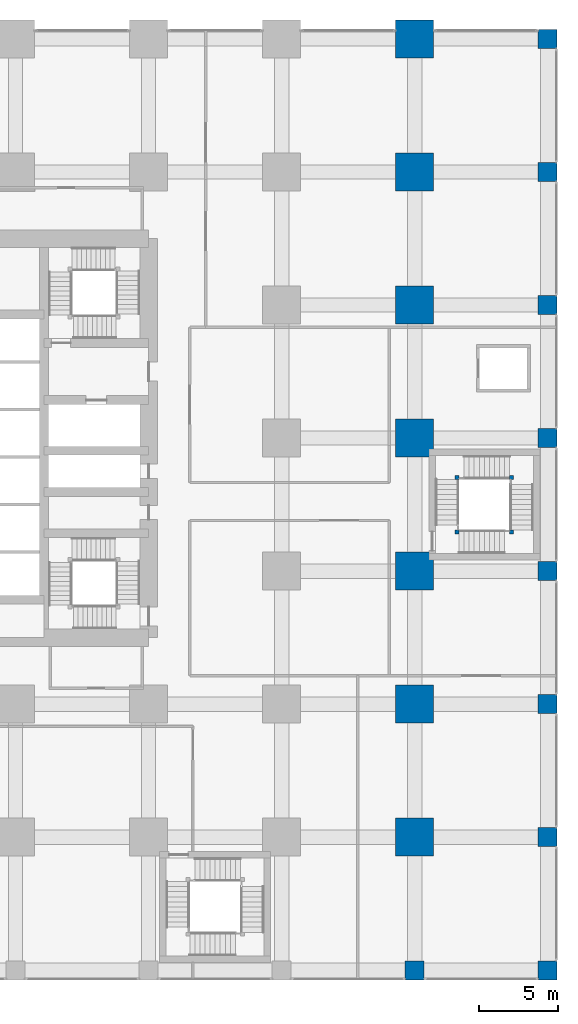
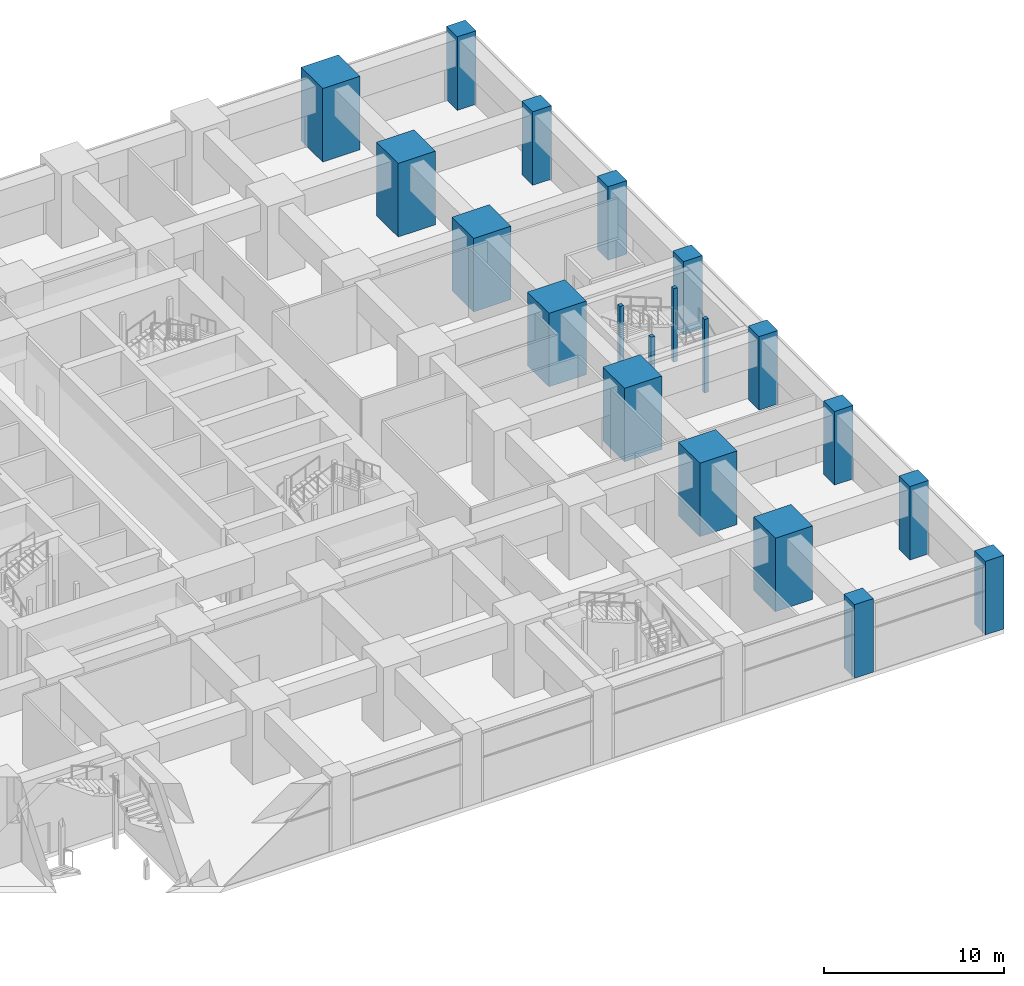
# One storey, part 2 of 49: 20 columns.
"""IFC4 building model written with IfcOpenShell, lengths in metres."""

import ifcopenshell
import ifcopenshell.guid

model = None  # the IFC model being written
_history = None  # IfcOwnerHistory: only IFC2X3 demands one
_inside = {}  # id of a spatial element -> (the spatial element, [elements in it])
_under = {}  # id of a project, library or spatial element -> (it, [spatial elements below it])
_declared = {}  # id of a project -> (the project, [libraries it declares])
_typed = {}  # id of a type object -> (the type object, [elements of that type])
_made_of = {}  # id of a material, layer set ... -> (it, [elements and type objects made of it])


def new_model(schema):
    """Start an empty IFC model of exactly this schema.

    Asked for "IFC4X3", IfcOpenShell would pick the latest addendum, in which some entities
    have other attributes; the version numbers below select the first issue.
    IFC2X3 requires an IfcOwnerHistory on every rooted entity: one is made here for all.
    """
    global model, _history
    if schema == "IFC4X3":
        model = ifcopenshell.file(schema_version=(4, 3, 0, 0))
    else:
        model = ifcopenshell.file(schema=schema)
    _inside.clear()
    _under.clear()
    _declared.clear()
    _typed.clear()
    _made_of.clear()
    _history = None
    if model.schema == "IFC2X3":
        org = make("IfcOrganization", Name="unknown")
        user = make(
            "IfcPersonAndOrganization",
            ThePerson=make("IfcPerson", FamilyName="unknown"),
            TheOrganization=org,
        )
        app = make(
            "IfcApplication",
            ApplicationDeveloper=org,
            Version="unknown",
            ApplicationFullName="unknown",
            ApplicationIdentifier="unknown",
        )
        _history = make(
            "IfcOwnerHistory",
            OwningUser=user,
            OwningApplication=app,
            ChangeAction="ADDED",
            CreationDate=0,
        )
    return model


def make(cls, **values):
    """One entity of the class cls with the attributes given. An attribute that is None is left unset."""
    return model.create_entity(
        cls, **{name: value for name, value in values.items() if value is not None}
    )


def rooted(cls, **values):
    """An entity with a GlobalId (a new one), such as an element, a storey or a relation."""
    return make(cls, GlobalId=ifcopenshell.guid.new(), OwnerHistory=_history, **values)


def si_unit(unit_type, name, prefix=None):
    """IfcSIUnit, for example si_unit("LENGTHUNIT", "METRE", prefix="MILLI")."""
    return make("IfcSIUnit", UnitType=unit_type, Prefix=prefix, Name=name)


def assignment(units):
    """IfcUnitAssignment: the units of a project."""
    return None if units is None else make("IfcUnitAssignment", Units=units)


def point(xyz):
    """IfcCartesianPoint."""
    return None if xyz is None else make("IfcCartesianPoint", Coordinates=xyz)


def direction(xyz):
    """IfcDirection."""
    return None if xyz is None else make("IfcDirection", DirectionRatios=xyz)


def frame(location, z_axis=None, x_axis=None):
    """IfcAxis2Placement3D, a coordinate frame: its origin and axes. An axis left out is left unset."""
    return make(
        "IfcAxis2Placement3D",
        Location=point(location),
        Axis=direction(z_axis),
        RefDirection=direction(x_axis),
    )


def frame_2d(location, x_axis=None):
    """IfcAxis2Placement2D, a coordinate frame in the plane: its origin and x axis."""
    return make(
        "IfcAxis2Placement2D", Location=point(location), RefDirection=direction(x_axis)
    )


def origin():
    """The frame at (0, 0, 0) with its axes left unset."""
    return frame((0.0, 0.0, 0.0))


def origin_2d():
    """The frame at (0, 0) in the plane with its x axis left unset."""
    return frame_2d((0.0, 0.0))


def place(relative_to, where):
    """IfcLocalPlacement: puts the frame where relative to a parent placement (None: the world)."""
    return make(
        "IfcLocalPlacement", PlacementRelTo=relative_to, RelativePlacement=where
    )


def context(
    kind, dimensions, precision=None, world=None, true_north=None, identifier=None
):
    """IfcGeometricRepresentationContext, for example the 3D "Model" context."""
    return make(
        "IfcGeometricRepresentationContext",
        ContextIdentifier=identifier,
        ContextType=kind,
        CoordinateSpaceDimension=dimensions,
        Precision=precision,
        WorldCoordinateSystem=world,
        TrueNorth=true_north,
    )


def subcontext(parent, identifier, kind, view, scale=None):
    """IfcGeometricRepresentationSubContext, for example "Body" below "Model"."""
    return make(
        "IfcGeometricRepresentationSubContext",
        ContextIdentifier=identifier,
        ContextType=kind,
        ParentContext=parent,
        TargetScale=scale,
        TargetView=view,
    )


def project(units=None, contexts=None):
    """IfcProject with its units and contexts."""
    return rooted(
        "IfcProject",
        Name="project",
        RepresentationContexts=contexts,
        UnitsInContext=assignment(units),
    )


def spatial(cls, under=None, at=None, **own):
    """A site, building, storey or space (cls), placed at a placement, below another one or the project."""
    s = rooted(cls, ObjectPlacement=at, **own)
    if under is not None:
        _under.setdefault(under.id(), (under, []))[1].append(s)
    return s


def profile(cls, at=None, kind="AREA", **sizes):
    """A parametric profile (cls). Its sizes go by their IFC names, for example OverallWidth=200.0."""
    return make(cls, ProfileType=kind, Position=at, **sizes)


def rectangle(**sizes):
    """IfcRectangleProfileDef."""
    return profile("IfcRectangleProfileDef", **sizes)


def extrude(swept, where, along, depth):
    """IfcExtrudedAreaSolid: the profile swept, set in the frame where, extruded along a direction by depth."""
    return make(
        "IfcExtrudedAreaSolid",
        SweptArea=swept,
        Position=where,
        ExtrudedDirection=direction(along),
        Depth=depth,
    )


def shape(context_of_items, identifier, shape_type, items):
    """IfcShapeRepresentation: the items that make up one representation, for example the "Body"."""
    return make(
        "IfcShapeRepresentation",
        ContextOfItems=context_of_items,
        RepresentationIdentifier=identifier,
        RepresentationType=shape_type,
        Items=items,
    )


def material(Name=None, Category=None):
    """IfcMaterial."""
    return make("IfcMaterial", Name=Name, Category=Category)


def material_profile(
    of_material, cross_section, Name=None, Category=None, Priority=None
):
    """IfcMaterialProfile: a cross section and its material."""
    return make(
        "IfcMaterialProfile",
        Name=Name,
        Material=of_material,
        Profile=cross_section,
        Priority=Priority,
        Category=Category,
    )


def profile_set(profiles, Name=None, composite=None):
    """IfcMaterialProfileSet."""
    return make(
        "IfcMaterialProfileSet",
        Name=Name,
        MaterialProfiles=profiles,
        CompositeProfile=composite,
    )


def made_of(thing, what):
    """Note that an element or type object is made of a material, layer set ...; save() writes the relation."""
    if what is not None:
        _made_of.setdefault(what.id(), (what, []))[1].append(thing)
    return thing


def type_object(cls, material=None, **own):
    """A type object (cls), such as IfcWallType, which elements share."""
    return made_of(rooted(cls, **own), material)


def element(
    cls,
    number,
    at=None,
    inside=None,
    cuts=None,
    type_object=None,
    material=None,
    context=None,
    identifier="Body",
    shape_type=None,
    held_by="IfcProductDefinitionShape",
    body=None,
    shapes=None,
    **own,
):
    """One element of the class cls, such as IfcWall. Its Tag is "e" and its number.

    at: its placement. inside: the storey or other place that contains it. cuts: it is an
    opening in that element (IfcRelVoidsElement). A single representation is given by context,
    identifier, shape_type and body (its items); several are given by shapes. held_by: the class
    of the entity that holds the representations. save() writes the other relations.
    """
    e = rooted(cls, Tag="e%d" % number, ObjectPlacement=at, **own)
    if body is not None:
        shapes = [shape(context, identifier, shape_type, body)]
    if shapes is not None:
        e.Representation = make(held_by, Representations=shapes)
    if inside is not None:
        _inside.setdefault(inside.id(), (inside, []))[1].append(e)
    if cuts is not None:
        rooted(
            "IfcRelVoidsElement", RelatingBuildingElement=cuts, RelatedOpeningElement=e
        )
    if type_object is not None:
        _typed.setdefault(type_object.id(), (type_object, []))[1].append(e)
    return made_of(e, material)


def aggregate(whole, parts):
    """IfcRelAggregates: a whole, such as a stair, and the parts it consists of."""
    return rooted("IfcRelAggregates", RelatingObject=whole, RelatedObjects=parts)


def save(model, path):
    """Write the relations noted so far, then the file.

    IfcRelAggregates (storeys below a building ...), IfcRelContainedInSpatialStructure (elements
    in a storey), IfcRelDefinesByType, IfcRelAssociatesMaterial and IfcRelDeclares: one each for
    every whole, place, type object, material and project.
    """
    for whole, parts in _under.values():
        aggregate(whole, parts)
    for where, things in _inside.values():
        rooted(
            "IfcRelContainedInSpatialStructure",
            RelatedElements=things,
            RelatingStructure=where,
        )
    for kind, things in _typed.values():
        rooted("IfcRelDefinesByType", RelatedObjects=things, RelatingType=kind)
    for what, things in _made_of.values():
        rooted("IfcRelAssociatesMaterial", RelatedObjects=things, RelatingMaterial=what)
    for by, libraries in _declared.values():
        rooted("IfcRelDeclares", RelatingContext=by, RelatedDefinitions=libraries)
    model.write(path)


model = new_model("IFC4")

# Units and contexts
model_context = context("Model", 3, precision=1e-05, world=origin(), true_north=direction((0.0, 1.0)))
body_context = subcontext(model_context, "Body", "Model", "MODEL_VIEW")
ifc_project = project(units=[si_unit("LENGTHUNIT", "METRE"), si_unit("AREAUNIT", "SQUARE_METRE"), si_unit("VOLUMEUNIT", "CUBIC_METRE"), si_unit("PLANEANGLEUNIT", "RADIAN"), si_unit("MASSUNIT", "GRAM", prefix="KILO")], contexts=[model_context])

# Site, building, storey
site_placement = place(None, origin())
site = spatial("IfcSite", under=ifc_project, at=site_placement, CompositionType="ELEMENT")
building_placement = place(site_placement, origin())
building = spatial("IfcBuilding", under=site, at=building_placement, Name="Rekha Terrace Tower", CompositionType="ELEMENT")
storey_placement = place(building_placement, frame((0.0, 0.0, 5.39990234375)))
storey = spatial("IfcBuildingStorey", under=building, at=storey_placement, Name="L01", CompositionType="ELEMENT", Elevation=5.39990234375)

# Columns
ifc_material_1 = material(Name="Concrete M70", Category="concrete")
ifc_material_profile_1 = material_profile(ifc_material_1, rectangle(XDim=2.39990234375, YDim=2.39990234375, at=origin_2d()), Name="RC 2400x2400")
ifc_profile_set_1 = profile_set([ifc_material_profile_1], Name="Concrete M70")
column_type_1 = type_object("IfcColumnType", Name="C1 2400x2400 column", PredefinedType="COLUMN", material=ifc_profile_set_1)
for number, where, z_axis, x_axis, name in (
    (1, (67.199951171875, 8.39990234375, 0.0), (0.0, 0.0, 1.0), (1.0, 0.0, 0.0), "Column C1 9/B L01"),
    (2, (67.199951171875, 16.800048828125, 0.0), (0.0, 0.0, 1.0), (1.0, 0.0, 0.0), "Column C1 9/C L01"),
    (3, (67.199951171875, 25.199951171875, 0.0), (0.0, 0.0, 1.0), (1.0, 0.0, 0.0), "Column C1 9/D L01"),
    (4, (67.199951171875, 33.60009765625, 0.0), (0.0, 0.0, 1.0), (1.0, 0.0, 0.0), "Column C1 9/E L01"),
    (5, (67.199951171875, 42.0, 0.0), (0.0, 0.0, 1.0), (1.0, 0.0, 0.0), "Column C1 9/F L01"),
    (6, (67.199951171875, 50.39990234375, 0.0), (0.0, 0.0, 1.0), (1.0, 0.0, 0.0), "Column C1 9/G L01"),
    (7, (67.199951171875, 58.800048828125, 0.0), (0.0, 0.0, 1.0), (1.0, 0.0, 0.0), "Column C1 9/H L01"),
):
    element("IfcColumn", number, at=place(storey_placement, frame(where, z_axis=z_axis, x_axis=x_axis)), inside=storey, type_object=column_type_1, Name=name, PredefinedType="COLUMN", context=body_context, shape_type="SweptSolid", body=[
        extrude(rectangle(XDim=2.39990234375, YDim=2.39990234375, at=origin_2d()), origin(), (0.0, 0.0, 1.0), 5.0),
    ])
ifc_material_2 = material(Name="Concrete M60", Category="concrete")
ifc_material_profile_2 = material_profile(ifc_material_2, rectangle(XDim=1.199951171875, YDim=1.199951171875, at=origin_2d()), Name="RC 1200x1200")
ifc_profile_set_2 = profile_set([ifc_material_profile_2], Name="Concrete M60")
column_type_2 = type_object("IfcColumnType", Name="C6 1200x1200 podium column", PredefinedType="COLUMN", material=ifc_profile_set_2)
for number, where, z_axis, x_axis, name in (
    (8, (67.199951171875, 0.0, 0.0), (0.0, 0.0, 1.0), (1.0, 0.0, 0.0), "Column C6 9/A L01"),
    (9, (75.60009765625, 0.0, 0.0), (0.0, 0.0, 1.0), (1.0, 0.0, 0.0), "Column C6 10/A L01"),
    (10, (75.60009765625, 8.39990234375, 0.0), (0.0, 0.0, 1.0), (1.0, 0.0, 0.0), "Column C6 10/B L01"),
    (11, (75.60009765625, 16.800048828125, 0.0), (0.0, 0.0, 1.0), (1.0, 0.0, 0.0), "Column C6 10/C L01"),
    (12, (75.60009765625, 25.199951171875, 0.0), (0.0, 0.0, 1.0), (1.0, 0.0, 0.0), "Column C6 10/D L01"),
    (13, (75.60009765625, 33.60009765625, 0.0), (0.0, 0.0, 1.0), (1.0, 0.0, 0.0), "Column C6 10/E L01"),
    (14, (75.60009765625, 42.0, 0.0), (0.0, 0.0, 1.0), (1.0, 0.0, 0.0), "Column C6 10/F L01"),
    (15, (75.60009765625, 50.39990234375, 0.0), (0.0, 0.0, 1.0), (1.0, 0.0, 0.0), "Column C6 10/G L01"),
    (16, (75.60009765625, 58.800048828125, 0.0), (0.0, 0.0, 1.0), (1.0, 0.0, 0.0), "Column C6 10/H L01"),
):
    element("IfcColumn", number, at=place(storey_placement, frame(where, z_axis=z_axis, x_axis=x_axis)), inside=storey, type_object=column_type_2, Name=name, PredefinedType="COLUMN", context=body_context, shape_type="SweptSolid", body=[
        extrude(rectangle(XDim=1.199951171875, YDim=1.199951171875, at=origin_2d()), origin(), (0.0, 0.0, 1.0), 5.0),
    ])
ifc_material_profile_3 = material_profile(ifc_material_2, rectangle(XDim=0.25, YDim=0.25, at=origin_2d()), Name="RC 250x250")
ifc_profile_set_3 = profile_set([ifc_material_profile_3], Name="Concrete M60")
column_type_3 = type_object("IfcColumnType", Name="NP1 250x250 stair newel post", PredefinedType="COLUMN", material=ifc_profile_set_3)
for number, where, z_axis, x_axis, name in (
    (17, (69.875, 27.675048828125, 0.0), (0.0, 0.0, 1.0), (1.0, 0.0, 0.0), "Stair newel post NP1"),
    (18, (73.324951171875, 27.675048828125, 0.0), (0.0, 0.0, 1.0), (1.0, 0.0, 0.0), "Stair newel post NP1"),
    (19, (73.324951171875, 31.125, 0.0), (0.0, 0.0, 1.0), (1.0, 0.0, 0.0), "Stair newel post NP1"),
    (20, (69.875, 31.125, 0.0), (0.0, 0.0, 1.0), (1.0, 0.0, 0.0), "Stair newel post NP1"),
):
    element("IfcColumn", number, at=place(storey_placement, frame(where, z_axis=z_axis, x_axis=x_axis)), inside=storey, type_object=column_type_3, Name=name, PredefinedType="COLUMN", context=body_context, shape_type="SweptSolid", body=[
        extrude(rectangle(XDim=0.25, YDim=0.25, at=origin_2d()), origin(), (0.0, 0.0, 1.0), 5.0),
    ])

save(model, "model.ifc")
